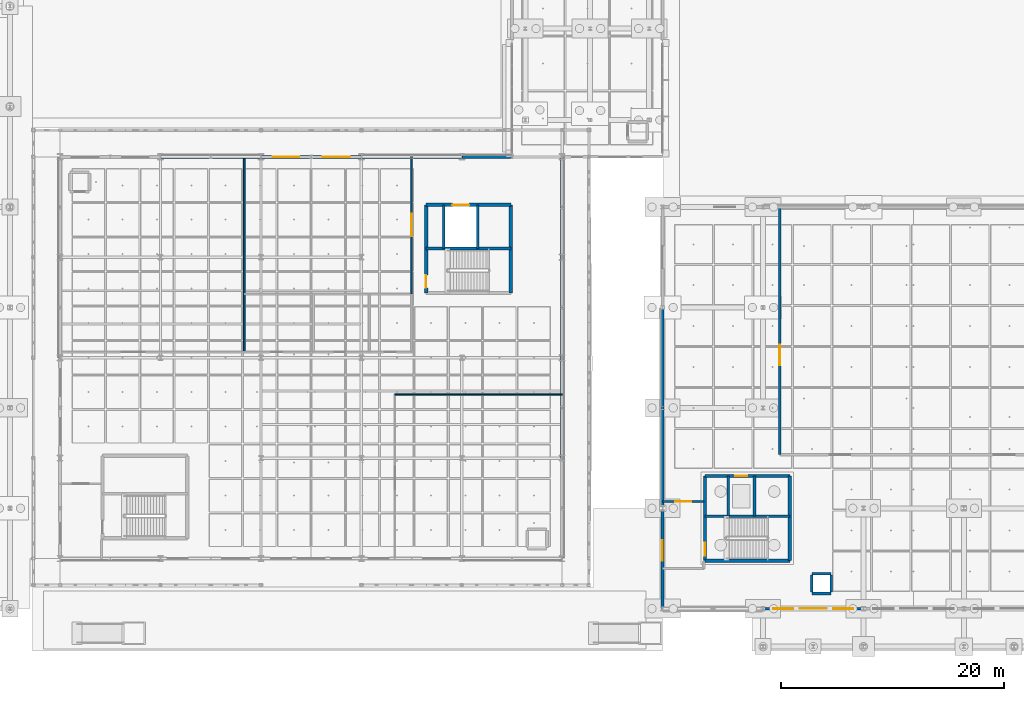
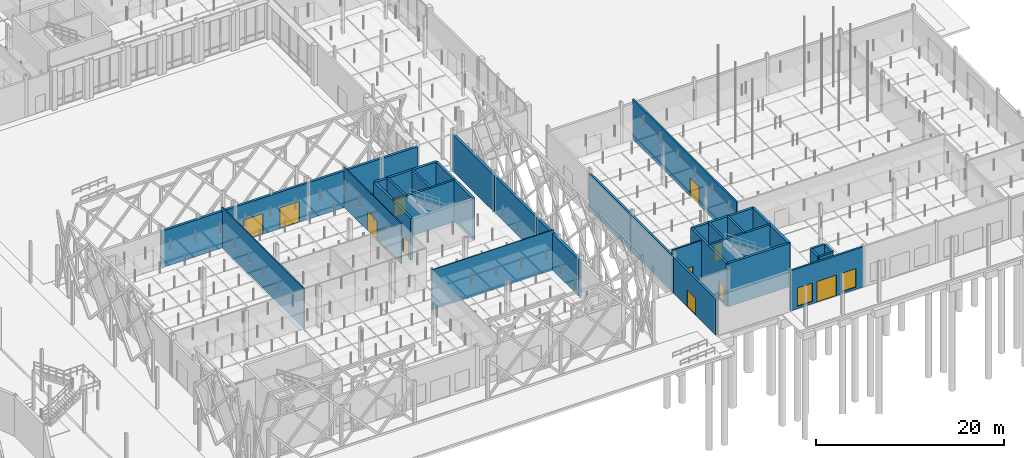
# One storey, part 96 of 180: 33 walls, 11 doors, 2 windows, 13 openings.
"""IFC4 building model written with IfcOpenShell, lengths in metres."""

from ifc_helpers import new_model, si_unit, direction, frame, frame_2d, origin, place, context, subcontext, project, spatial, rectangle, extrude, material, layer, layer_set, type_object, element, fill, save


model = new_model("IFC4")

# Units and contexts
model_context = context("Model", 3, precision=1e-05, world=origin(), true_north=direction((0.0, 1.0)))
body_context = subcontext(model_context, "Body", "Model", "MODEL_VIEW")
ifc_project = project(units=[si_unit("LENGTHUNIT", "METRE"), si_unit("AREAUNIT", "SQUARE_METRE"), si_unit("VOLUMEUNIT", "CUBIC_METRE"), si_unit("PLANEANGLEUNIT", "RADIAN"), si_unit("MASSUNIT", "GRAM", prefix="KILO"), si_unit("THERMODYNAMICTEMPERATUREUNIT", "KELVIN"), si_unit("POWERUNIT", "WATT")], contexts=[model_context])

# Site, building, storey
site_placement = place(None, origin())
site = spatial("IfcSite", under=ifc_project, at=site_placement, CompositionType="ELEMENT")
building_placement = place(site_placement, origin())
building = spatial("IfcBuilding", under=site, at=building_placement, Name="Tallowbark Science Centre", CompositionType="ELEMENT")
storey_placement = place(building_placement, origin())
storey = spatial("IfcBuildingStorey", under=building, at=storey_placement, Name="L00", CompositionType="ELEMENT", Elevation=0.0)

# Wall, openings, door, windows
ifc_material_1 = material(Name="Hawkesbury Sandstone Faced Masonry Cavity Wall", Category="masonry")
ifc_layer_1 = layer(ifc_material_1, 0.22998046875)
ifc_layer_set_1 = layer_set([ifc_layer_1], Name="Hawkesbury Sandstone Faced Masonry Cavity Wall")
wall_type_1 = type_object("IfcWallType", Name="EWL-MAS-230", PredefinedType="STANDARD", material=ifc_layer_set_1)
wall_1_placement = place(storey_placement, frame((121.5, 0.0, 0.0), z_axis=(0.0, 0.0, 1.0), x_axis=(1.0, 0.0, 0.0)))
wall_1 = element("IfcWall", 1, at=wall_1_placement, inside=storey, type_object=wall_type_1, Name="Exterior Wall THT-S-L00-1", PredefinedType="STANDARD", context=body_context, shape_type="SweptSolid", body=[
    extrude(rectangle(XDim=9.0, YDim=0.22998046875, at=frame_2d((4.5, 0.0))), origin(), (0.0, 0.0, 1.0), 5.219970703125),
])
opening_1_placement = place(wall_1_placement, frame((0.89990234375, 0.0, 0.300048828125)))
opening_1 = element("IfcOpeningElement", 2, at=opening_1_placement, cuts=wall_1, Name="Opening W-12", PredefinedType="OPENING", context=body_context, shape_type="SweptSolid", body=[
    extrude(rectangle(XDim=1.800048828125, YDim=2.39990234375, at=frame_2d((0.89990234375, 1.199951171875))), frame((0.0, 0.125, 0.0), z_axis=(0.0, -1.0, 0.0), x_axis=(1.0, 0.0, 0.0)), (0.0, 0.0, 1.0), 0.25),
])
opening_2_placement = place(wall_1_placement, frame((6.300048828125, 0.0, 0.300048828125)))
opening_2 = element("IfcOpeningElement", 3, at=opening_2_placement, cuts=wall_1, Name="Opening W-12", PredefinedType="OPENING", context=body_context, shape_type="SweptSolid", body=[
    extrude(rectangle(XDim=1.800048828125, YDim=2.39990234375, at=frame_2d((0.89990234375, 1.199951171875))), frame((0.0, 0.125, 0.0), z_axis=(0.0, -1.0, 0.0), x_axis=(1.0, 0.0, 0.0)), (0.0, 0.0, 1.0), 0.25),
])
opening_3_placement = place(wall_1_placement, frame((3.300048828125, 0.0, 0.0)))
opening_3 = element("IfcOpeningElement", 4, at=opening_3_placement, cuts=wall_1, Name="Opening ED-01", PredefinedType="OPENING", context=body_context, shape_type="SweptSolid", body=[
    extrude(rectangle(XDim=2.39990234375, YDim=2.699951171875, at=frame_2d((1.199951171875, 1.35009765625))), frame((0.0, 0.125, 0.0), z_axis=(0.0, -1.0, 0.0), x_axis=(1.0, 0.0, 0.0)), (0.0, 0.0, 1.0), 0.25),
])
ifc_material_2 = material(Name="Thermally Broken Glazed Aluminium Frame", Category="aluminium")
door_type_1 = type_object("IfcDoorType", Name="EDR-GLZ-240", OperationType="DOUBLE_DOOR_SINGLE_SWING", PredefinedType="DOOR", material=ifc_material_2)
door_1_placement = place(opening_3_placement, origin())
door_1 = element("IfcDoor", 5, at=door_1_placement, inside=storey, type_object=door_type_1, Name="Exterior Door EDR-L00-015", OperationType="DOUBLE_DOOR_SINGLE_SWING", OverallHeight=2.699951171875, OverallWidth=2.39990234375, PredefinedType="DOOR", context=body_context, shape_type="SweptSolid", body=[
    extrude(rectangle(XDim=2.39990234375, YDim=2.699951171875, at=frame_2d((1.199951171875, 1.35009765625))), frame((0.0, 0.02490234375, 0.0), z_axis=(0.0, -1.0, 0.0), x_axis=(1.0, 0.0, 0.0)), (0.0, 0.0, 1.0), 0.050048828125),
])
fill(opening_3, door_1)
ifc_material_3 = material(Name="Thermally Broken Aluminium and Low-E Double Glazing", Category="aluminium")
window_type = type_object("IfcWindowType", Name="WIN-F180x240", PartitioningType="SINGLE_PANEL", PredefinedType="WINDOW", material=ifc_material_3)
window_1_placement = place(opening_1_placement, origin())
window_1 = element("IfcWindow", 6, at=window_1_placement, inside=storey, type_object=window_type, Name="Window WIN-L00-0013", OverallHeight=2.39990234375, OverallWidth=1.800048828125, PartitioningType="SINGLE_PANEL", PredefinedType="WINDOW", context=body_context, shape_type="SweptSolid", body=[
    extrude(rectangle(XDim=1.800048828125, YDim=2.39990234375, at=frame_2d((0.89990234375, 1.199951171875))), frame((0.0, 0.030029296875, 0.0), z_axis=(0.0, -1.0, 0.0), x_axis=(1.0, 0.0, 0.0)), (0.0, 0.0, 1.0), 0.06005859375),
])
fill(opening_1, window_1)
window_2_placement = place(opening_2_placement, origin())
window_2 = element("IfcWindow", 7, at=window_2_placement, inside=storey, type_object=window_type, Name="Window WIN-L00-0014", OverallHeight=2.39990234375, OverallWidth=1.800048828125, PartitioningType="SINGLE_PANEL", PredefinedType="WINDOW", context=body_context, shape_type="SweptSolid", body=[
    extrude(rectangle(XDim=1.800048828125, YDim=2.39990234375, at=frame_2d((0.89990234375, 1.199951171875))), frame((0.0, 0.030029296875, 0.0), z_axis=(0.0, -1.0, 0.0), x_axis=(1.0, 0.0, 0.0)), (0.0, 0.0, 1.0), 0.06005859375),
])
fill(opening_2, window_2)

# Wall, opening, door
ifc_material_4 = material(Name="Insulated Ribbed Precast Concrete Panel Grade N40 (40 MPa)", Category="concrete")
ifc_layer_2 = layer(ifc_material_4, 0.264892578125)
ifc_layer_set_2 = layer_set([ifc_layer_2], Name="Insulated Ribbed Precast Concrete Panel Grade N40 (40 MPa)")
wall_type_2 = type_object("IfcWallType", Name="EWL-PRC-265", PredefinedType="STANDARD", material=ifc_layer_set_2)
wall_2_placement = place(storey_placement, frame((112.5, 0.0, 0.0), z_axis=(0.0, 0.0, 1.0), x_axis=(0.0, 1.0, 0.0)))
wall_2 = element("IfcWall", 8, at=wall_2_placement, inside=storey, type_object=wall_type_2, Name="Exterior Wall THT-W-L00-0", PredefinedType="STANDARD", context=body_context, shape_type="SweptSolid", body=[
    extrude(rectangle(XDim=9.0, YDim=0.264892578125, at=frame_2d((4.5, 0.0))), origin(), (0.0, 0.0, 1.0), 4.68115234375),
])
opening_4_placement = place(wall_2_placement, frame((4.300048828125, 0.0, 0.0)))
opening_4 = element("IfcOpeningElement", 9, at=opening_4_placement, cuts=wall_2, Name="Opening ED-07", PredefinedType="OPENING", context=body_context, shape_type="SweptSolid", body=[
    extrude(rectangle(XDim=1.85009765625, YDim=2.199951171875, at=frame_2d((0.925048828125, 1.10009765625))), frame((0.0, 0.142578125, 0.0), z_axis=(0.0, -1.0, 0.0), x_axis=(1.0, 0.0, 0.0)), (0.0, 0.0, 1.0), 0.284912109375),
])
ifc_material_5 = material(Name="Powdercoated Galvanised Steel Leaf", Category="steel")
door_type_2 = type_object("IfcDoorType", Name="EDR-ESC-185", OperationType="DOUBLE_DOOR_SINGLE_SWING", PredefinedType="DOOR", material=ifc_material_5)
door_2_placement = place(opening_4_placement, origin())
door_2 = element("IfcDoor", 10, at=door_2_placement, inside=storey, type_object=door_type_2, Name="Exterior Door EDR-L00-018", OperationType="DOUBLE_DOOR_SINGLE_SWING", OverallHeight=2.199951171875, OverallWidth=1.85009765625, PredefinedType="DOOR", context=body_context, shape_type="SweptSolid", body=[
    extrude(rectangle(XDim=1.85009765625, YDim=2.199951171875, at=frame_2d((0.925048828125, 1.10009765625))), frame((0.0, 0.02490234375, 0.0), z_axis=(0.0, -1.0, 0.0), x_axis=(1.0, 0.0, 0.0)), (0.0, 0.0, 1.0), 0.050048828125),
])
fill(opening_4, door_2)

# Walls
for number, where, z_axis, x_axis, name in (
    (11, (112.5, 18.0, 0.0), (0.0, 0.0, 1.0), (0.0, -1.0, 0.0), "Exterior Wall THT-W-L00-1"),
    (12, (112.5, 27.0, 0.0), (0.0, 0.0, 1.0), (0.0, -1.0, 0.0), "Exterior Wall THT-W-L00-2"),
):
    element("IfcWall", number, at=place(storey_placement, frame(where, z_axis=z_axis, x_axis=x_axis)), inside=storey, type_object=wall_type_2, Name=name, PredefinedType="STANDARD", context=body_context, shape_type="SweptSolid", body=[
        extrude(rectangle(XDim=9.0, YDim=0.264892578125, at=frame_2d((4.5, 0.0))), origin(), (0.0, 0.0, 1.0), 4.68115234375),
    ])

# Wall, openings, doors
ifc_material_6 = material(Name="Spotted Gum Glulam and Mineral-Wool Rainscreen Assembly", Category="wood")
ifc_layer_3 = layer(ifc_material_6, 0.280029296875)
ifc_layer_set_3 = layer_set([ifc_layer_3], Name="Spotted Gum Glulam and Mineral-Wool Rainscreen Assembly")
wall_type_3 = type_object("IfcWallType", Name="EWL-TIM-280", PredefinedType="STANDARD", material=ifc_layer_set_3)
wall_3_placement = place(storey_placement, frame((85.5, 40.5, 0.0), z_axis=(0.0, 0.0, 1.0), x_axis=(-1.0, 0.0, 0.0)))
wall_3 = element("IfcWall", 13, at=wall_3_placement, inside=storey, type_object=wall_type_3, Name="Exterior Wall CUB-N-L00-2", PredefinedType="STANDARD", context=body_context, shape_type="SweptSolid", body=[
    extrude(rectangle(XDim=9.0, YDim=0.280029296875, at=frame_2d((4.5, 0.0))), origin(), (0.0, 0.0, 1.0), 4.74609375),
])
opening_5_placement = place(wall_3_placement, frame((1.050048828125, 0.0, 0.0)))
opening_5 = element("IfcOpeningElement", 14, at=opening_5_placement, cuts=wall_3, Name="Opening ED-01", PredefinedType="OPENING", context=body_context, shape_type="SweptSolid", body=[
    extrude(rectangle(XDim=2.39990234375, YDim=2.699951171875, at=frame_2d((1.199951171875, 1.35009765625))), frame((0.0, 0.14990234375, 0.0), z_axis=(0.0, -1.0, 0.0), x_axis=(1.0, 0.0, 0.0)), (0.0, 0.0, 1.0), 0.300048828125),
])
opening_6_placement = place(wall_3_placement, frame((5.550048828125, 0.0, 0.0)))
opening_6 = element("IfcOpeningElement", 15, at=opening_6_placement, cuts=wall_3, Name="Opening ED-01", PredefinedType="OPENING", context=body_context, shape_type="SweptSolid", body=[
    extrude(rectangle(XDim=2.39990234375, YDim=2.699951171875, at=frame_2d((1.199951171875, 1.35009765625))), frame((0.0, 0.14990234375, 0.0), z_axis=(0.0, -1.0, 0.0), x_axis=(1.0, 0.0, 0.0)), (0.0, 0.0, 1.0), 0.300048828125),
])
door_3_placement = place(opening_5_placement, origin())
door_3 = element("IfcDoor", 16, at=door_3_placement, inside=storey, type_object=door_type_1, Name="Exterior Door EDR-L00-005", OperationType="DOUBLE_DOOR_SINGLE_SWING", OverallHeight=2.699951171875, OverallWidth=2.39990234375, PredefinedType="DOOR", context=body_context, shape_type="SweptSolid", body=[
    extrude(rectangle(XDim=2.39990234375, YDim=2.699951171875, at=frame_2d((1.199951171875, 1.35009765625))), frame((0.0, 0.02490234375, 0.0), z_axis=(0.0, -1.0, 0.0), x_axis=(1.0, 0.0, 0.0)), (0.0, 0.0, 1.0), 0.050048828125),
])
fill(opening_5, door_3)
door_4_placement = place(opening_6_placement, origin())
door_4 = element("IfcDoor", 17, at=door_4_placement, inside=storey, type_object=door_type_1, Name="Exterior Door EDR-L00-006", OperationType="DOUBLE_DOOR_SINGLE_SWING", OverallHeight=2.699951171875, OverallWidth=2.39990234375, PredefinedType="DOOR", context=body_context, shape_type="SweptSolid", body=[
    extrude(rectangle(XDim=2.39990234375, YDim=2.699951171875, at=frame_2d((1.199951171875, 1.35009765625))), frame((0.0, 0.02490234375, 0.0), z_axis=(0.0, -1.0, 0.0), x_axis=(1.0, 0.0, 0.0)), (0.0, 0.0, 1.0), 0.050048828125),
])
fill(opening_6, door_4)

# Walls
ifc_material_7 = material(Name="Spotted Gum Acoustic Cassette Wall Assembly", Category="wood")
ifc_layer_4 = layer(ifc_material_7, 0.294921875)
ifc_layer_set_4 = layer_set([ifc_layer_4], Name="Spotted Gum Acoustic Cassette Wall Assembly")
wall_type_4 = type_object("IfcWallType", Name="EWL-TIM-295", PredefinedType="STANDARD", material=ifc_layer_set_4)
for number, where, z_axis, x_axis, name in (
    (18, (76.5, 40.5, 0.0), (0.0, 0.0, 1.0), (-1.0, 0.0, 0.0), "Exterior Wall CUB-N-L00-1"),
    (19, (94.5, 40.5, 0.0), (0.0, 0.0, 1.0), (-1.0, 0.0, 0.0), "Exterior Wall CUB-N-L00-3"),
):
    element("IfcWall", number, at=place(storey_placement, frame(where, z_axis=z_axis, x_axis=x_axis)), inside=storey, type_object=wall_type_4, Name=name, PredefinedType="STANDARD", context=body_context, shape_type="SweptSolid", body=[
        extrude(rectangle(XDim=9.0, YDim=0.294921875, at=frame_2d((4.5, 0.0))), origin(), (0.0, 0.0, 1.0), 4.74609375),
    ])
wall_4_placement = place(storey_placement, frame((99.0, 40.5, 0.0), z_axis=(0.0, 0.0, 1.0), x_axis=(-1.0, 0.0, 0.0)))
element("IfcWall", 20, at=wall_4_placement, inside=storey, type_object=wall_type_4, Name="Exterior Wall CUB-N-L00-4", PredefinedType="STANDARD", context=body_context, shape_type="SweptSolid", body=[
    extrude(rectangle(XDim=4.5, YDim=0.294921875, at=frame_2d((2.25, 0.0))), origin(), (0.0, 0.0, 1.0), 4.74609375),
])
for number, where, z_axis, x_axis, name in (
    (21, (103.5, 13.5, 0.0), (0.0, 0.0, 1.0), (0.0, 1.0, 0.0), "Exterior Wall CUB-E-L00-1"),
    (22, (103.5, 22.5, 0.0), (0.0, 0.0, 1.0), (0.0, 1.0, 0.0), "Exterior Wall CUB-E-L00-2"),
    (23, (103.5, 31.5, 0.0), (0.0, 0.0, 1.0), (0.0, 1.0, 0.0), "Exterior Wall CUB-E-L00-3"),
):
    element("IfcWall", number, at=place(storey_placement, frame(where, z_axis=z_axis, x_axis=x_axis)), inside=storey, type_object=wall_type_4, Name=name, PredefinedType="STANDARD", context=body_context, shape_type="SweptSolid", body=[
        extrude(rectangle(XDim=9.0, YDim=0.294921875, at=frame_2d((4.5, 0.0))), origin(), (0.0, 0.0, 1.0), 4.74609375),
    ])
ifc_material_8 = material(Name="150 mm Wet-Area Moisture-Resistant Partition")
ifc_layer_5 = layer(ifc_material_8, 0.14990234375)
ifc_layer_set_5 = layer_set([ifc_layer_5], Name="150 mm Wet-Area Moisture-Resistant Partition")
wall_type_5 = type_object("IfcWallType", Name="PTW-150", PredefinedType="PARTITIONING", material=ifc_layer_set_5)
wall_5_placement = place(storey_placement, frame((75.0, 23.0, 0.0), z_axis=(0.0, 0.0, 1.0), x_axis=(0.0, 1.0, 0.0)))
element("IfcWall", 24, at=wall_5_placement, inside=storey, type_object=wall_type_5, Name="Interior Partition PTW-L00-0105", PredefinedType="PARTITIONING", context=body_context, shape_type="SweptSolid", body=[
    extrude(rectangle(XDim=17.5, YDim=0.14990234375, at=frame_2d((8.75, 0.0))), origin(), (0.0, 0.0, 1.0), 5.219970703125),
])

# Wall, opening, door
ifc_material_9 = material(Name="162 mm Double-Stud Fire-Rated Corridor Partition")
ifc_layer_6 = layer(ifc_material_9, 0.162109375)
ifc_layer_set_6 = layer_set([ifc_layer_6], Name="162 mm Double-Stud Fire-Rated Corridor Partition")
wall_type_6 = type_object("IfcWallType", Name="PTW-162", PredefinedType="PARTITIONING", material=ifc_layer_set_6)
wall_6_placement = place(storey_placement, frame((112.5, 9.60009765625, 0.0), z_axis=(0.0, 0.0, 1.0), x_axis=(1.0, 0.0, 0.0)))
wall_6 = element("IfcWall", 25, at=wall_6_placement, inside=storey, type_object=wall_type_6, Name="Interior Partition PTW-L00-0143", PredefinedType="PARTITIONING", context=body_context, shape_type="SweptSolid", body=[
    extrude(rectangle(XDim=3.699951171875, YDim=0.162109375, at=frame_2d((1.85009765625, 0.0))), origin(), (0.0, 0.0, 1.0), 5.219970703125),
])
opening_7_placement = place(wall_6_placement, frame((1.1201171875, 0.0, 0.0)))
opening_7 = element("IfcOpeningElement", 26, at=opening_7_placement, cuts=wall_6, Name="Opening FD-02", PredefinedType="OPENING", context=body_context, shape_type="SweptSolid", body=[
    extrude(rectangle(XDim=1.449951171875, YDim=2.199951171875, at=frame_2d((0.72509765625, 1.10009765625))), frame((0.0, 0.091064453125, 0.0), z_axis=(0.0, -1.0, 0.0), x_axis=(1.0, 0.0, 0.0)), (0.0, 0.0, 1.0), 0.18212890625),
])
ifc_material_10 = material(Name="Fire-Rated Glazed Steel Pair", Category="steel")
door_type_3 = type_object("IfcDoorType", Name="FDR-LOB-145", OperationType="DOUBLE_DOOR_SINGLE_SWING", PredefinedType="DOOR", material=ifc_material_10)
door_5_placement = place(opening_7_placement, origin())
door_5 = element("IfcDoor", 27, at=door_5_placement, inside=storey, type_object=door_type_3, Name="Interior Door IDR-L00-0056", OperationType="DOUBLE_DOOR_SINGLE_SWING", OverallHeight=2.199951171875, OverallWidth=1.449951171875, PredefinedType="DOOR", context=body_context, shape_type="SweptSolid", body=[
    extrude(rectangle(XDim=1.449951171875, YDim=2.199951171875, at=frame_2d((0.72509765625, 1.10009765625))), frame((0.0, 0.02490234375, 0.0), z_axis=(0.0, -1.0, 0.0), x_axis=(1.0, 0.0, 0.0)), (0.0, 0.0, 1.0), 0.050048828125),
])
fill(opening_7, door_5)

ifc_material_11 = material(Name="190 mm Acoustic Auditorium Double-Stud Partition")
ifc_layer_7 = layer(ifc_material_11, 0.18994140625)
ifc_layer_set_7 = layer_set([ifc_layer_7], Name="190 mm Acoustic Auditorium Double-Stud Partition")
wall_type_7 = type_object("IfcWallType", Name="PTW-190", PredefinedType="PARTITIONING", material=ifc_layer_set_7)
wall_7_placement = place(storey_placement, frame((123.0, 13.800048828125, 0.0), z_axis=(0.0, 0.0, 1.0), x_axis=(0.0, 1.0, 0.0)))
wall_7 = element("IfcWall", 28, at=wall_7_placement, inside=storey, type_object=wall_type_7, Name="Interior Partition PTW-L00-0112", PredefinedType="PARTITIONING", context=body_context, shape_type="SweptSolid", body=[
    extrude(rectangle(XDim=22.199951171875, YDim=0.18994140625, at=frame_2d((11.10009765625, 0.0))), origin(), (0.0, 0.0, 1.0), 5.219970703125),
])
opening_8_placement = place(wall_7_placement, frame((8.0, 0.0, 0.0)))
opening_8 = element("IfcOpeningElement", 29, at=opening_8_placement, cuts=wall_7, Name="Opening DS-41", PredefinedType="OPENING", context=body_context, shape_type="SweptSolid", body=[
    extrude(rectangle(XDim=1.8798828125, YDim=2.39990234375, at=frame_2d((0.93994140625, 1.199951171875))), frame((0.0, 0.10498046875, 0.0), z_axis=(0.0, -1.0, 0.0), x_axis=(1.0, 0.0, 0.0)), (0.0, 0.0, 1.0), 0.2099609375),
])
ifc_material_12 = material(Name="Acoustic Sound-Lock Theatre Pair")
door_type_4 = type_object("IfcDoorType", Name="IDR-AUD-180-S41", OperationType="DOUBLE_DOOR_SINGLE_SWING", PredefinedType="DOOR", material=ifc_material_12)
door_6_placement = place(opening_8_placement, origin())
door_6 = element("IfcDoor", 30, at=door_6_placement, inside=storey, type_object=door_type_4, Name="Interior Door IDR-L00-0041", OperationType="DOUBLE_DOOR_SINGLE_SWING", OverallHeight=2.39990234375, OverallWidth=1.8798828125, PredefinedType="DOOR", context=body_context, shape_type="SweptSolid", body=[
    extrude(rectangle(XDim=1.8798828125, YDim=2.39990234375, at=frame_2d((0.93994140625, 1.199951171875))), frame((0.0, 0.02490234375, 0.0), z_axis=(0.0, -1.0, 0.0), x_axis=(1.0, 0.0, 0.0)), (0.0, 0.0, 1.0), 0.050048828125),
])
fill(opening_8, door_6)

# Wall
ifc_material_13 = material(Name="92 mm Steel Stud and Double 13 mm Plasterboard Partition", Category="steel")
ifc_layer_8 = layer(ifc_material_13, 0.092041015625)
ifc_layer_set_8 = layer_set([ifc_layer_8], Name="92 mm Steel Stud and Double 13 mm Plasterboard Partition")
wall_type_8 = type_object("IfcWallType", Name="PTW-92", PredefinedType="PARTITIONING", material=ifc_layer_set_8)
wall_8_placement = place(storey_placement, frame((88.5, 19.199951171875, 0.0), z_axis=(0.0, 0.0, 1.0), x_axis=(1.0, 0.0, 0.0)))
element("IfcWall", 31, at=wall_8_placement, inside=storey, type_object=wall_type_8, Name="Interior Partition PTW-L00-0100", PredefinedType="PARTITIONING", context=body_context, shape_type="SweptSolid", body=[
    extrude(rectangle(XDim=15.0, YDim=0.092041015625, at=frame_2d((7.5, 0.0))), origin(), (0.0, 0.0, 1.0), 5.219970703125),
])

# Wall, opening, door
ifc_material_14 = material(Name="125 mm Top-Hung Operable Acoustic Exhibition Partition")
ifc_layer_9 = layer(ifc_material_14, 0.125)
ifc_layer_set_9 = layer_set([ifc_layer_9], Name="125 mm Top-Hung Operable Acoustic Exhibition Partition")
wall_type_9 = type_object("IfcWallType", Name="PTW-MOV-125", PredefinedType="MOVABLE", material=ifc_layer_set_9)
wall_9_placement = place(storey_placement, frame((90.0, 28.199951171875, 0.0), z_axis=(0.0, 0.0, 1.0), x_axis=(0.0, 1.0, 0.0)))
wall_9 = element("IfcWall", 32, at=wall_9_placement, inside=storey, type_object=wall_type_9, Name="Interior Partition PTW-L00-0110", PredefinedType="MOVABLE", context=body_context, shape_type="SweptSolid", body=[
    extrude(rectangle(XDim=12.300048828125, YDim=0.125, at=frame_2d((6.14990234375, 0.0))), origin(), (0.0, 0.0, 1.0), 5.219970703125),
])
opening_9_placement = place(wall_9_placement, frame((5.199951171875, 0.0, 0.0)))
opening_9 = element("IfcOpeningElement", 33, at=opening_9_placement, cuts=wall_9, Name="Opening DS-38", PredefinedType="OPENING", context=body_context, shape_type="SweptSolid", body=[
    extrude(rectangle(XDim=2.02001953125, YDim=2.5, at=frame_2d((1.010009765625, 1.25))), frame((0.0, 0.072509765625, 0.0), z_axis=(0.0, -1.0, 0.0), x_axis=(1.0, 0.0, 0.0)), (0.0, 0.0, 1.0), 0.14501953125),
])
ifc_material_15 = material(Name="Spotted Gum Acoustic Gallery Pair", Category="wood")
door_type_5 = type_object("IfcDoorType", Name="IDR-GAL-200-S38", OperationType="DOUBLE_DOOR_DOUBLE_SWING", PredefinedType="DOOR", material=ifc_material_15)
door_7_placement = place(opening_9_placement, origin())
door_7 = element("IfcDoor", 34, at=door_7_placement, inside=storey, type_object=door_type_5, Name="Interior Door IDR-L00-0038", OperationType="DOUBLE_DOOR_DOUBLE_SWING", OverallHeight=2.5, OverallWidth=2.02001953125, PredefinedType="DOOR", context=body_context, shape_type="SweptSolid", body=[
    extrude(rectangle(XDim=2.02001953125, YDim=2.5, at=frame_2d((1.010009765625, 1.25))), frame((0.0, 0.02490234375, 0.0), z_axis=(0.0, -1.0, 0.0), x_axis=(1.0, 0.0, 0.0)), (0.0, 0.0, 1.0), 0.050048828125),
])
fill(opening_9, door_7)

ifc_material_16 = material(Name="Concrete Grade N40 (40 MPa)", Category="concrete")
ifc_layer_10 = layer(ifc_material_16, 0.300048828125)
ifc_layer_set_10 = layer_set([ifc_layer_10], Name="Concrete Grade N40 (40 MPa)")
wall_type_10 = type_object("IfcWallType", Name="WL-CORE-300", PredefinedType="SHEAR", material=ifc_layer_set_10)
wall_10_placement = place(storey_placement, frame((91.300048828125, 28.300048828125, 0.0), z_axis=(0.0, 0.0, 1.0), x_axis=(0.0, 1.0, 0.0)))
wall_10 = element("IfcWall", 35, at=wall_10_placement, inside=storey, type_object=wall_type_10, Name="Core C3 Shear Wall L00 W", PredefinedType="SHEAR", context=body_context, shape_type="SweptSolid", body=[
    extrude(rectangle(XDim=7.89990234375, YDim=0.300048828125, at=frame_2d((3.949951171875, 0.0))), origin(), (0.0, 0.0, 1.0), 5.39990234375),
])
opening_10_placement = place(wall_10_placement, frame((0.449951171875, 0.0, 0.0)))
opening_10 = element("IfcOpeningElement", 36, at=opening_10_placement, cuts=wall_10, Name="Opening FD-01", PredefinedType="OPENING", context=body_context, shape_type="SweptSolid", body=[
    extrude(rectangle(XDim=1.14990234375, YDim=2.14990234375, at=frame_2d((0.574951171875, 1.074951171875))), frame((0.0, 0.16015625, 0.0), z_axis=(0.0, -1.0, 0.0), x_axis=(1.0, 0.0, 0.0)), (0.0, 0.0, 1.0), 0.320068359375),
])
ifc_material_17 = material(Name="Fire-Rated Pressed Steel Frame and Solid Core Leaf", Category="steel")
door_type_6 = type_object("IfcDoorType", Name="FDR-STR-115", OperationType="NOTDEFINED", PredefinedType="DOOR", material=ifc_material_17)
door_8_placement = place(opening_10_placement, origin())
door_8 = element("IfcDoor", 37, at=door_8_placement, inside=storey, type_object=door_type_6, Name="Stair ST-03 Fire Door L00", OperationType="SINGLE_SWING_RIGHT", OverallHeight=2.14990234375, OverallWidth=1.14990234375, PredefinedType="DOOR", context=body_context, shape_type="SweptSolid", body=[
    extrude(rectangle(XDim=1.14990234375, YDim=2.14990234375, at=frame_2d((0.574951171875, 1.074951171875))), frame((0.0, 0.02490234375, 0.0), z_axis=(0.0, -1.0, 0.0), x_axis=(1.0, 0.0, 0.0)), (0.0, 0.0, 1.0), 0.050048828125),
])
fill(opening_10, door_8)

# Wall
wall_11_placement = place(storey_placement, frame((98.89990234375, 28.300048828125, 0.0), z_axis=(0.0, 0.0, 1.0), x_axis=(0.0, 1.0, 0.0)))
element("IfcWall", 38, at=wall_11_placement, inside=storey, type_object=wall_type_10, Name="Core C3 Shear Wall L00 E", PredefinedType="SHEAR", context=body_context, shape_type="SweptSolid", body=[
    extrude(rectangle(XDim=7.89990234375, YDim=0.300048828125, at=frame_2d((3.949951171875, 0.0))), origin(), (0.0, 0.0, 1.0), 5.39990234375),
])

# Wall, opening, door
wall_12_placement = place(storey_placement, frame((91.300048828125, 36.199951171875, 0.0), z_axis=(0.0, 0.0, 1.0), x_axis=(1.0, 0.0, 0.0)))
wall_12 = element("IfcWall", 39, at=wall_12_placement, inside=storey, type_object=wall_type_10, Name="Core C3 Shear Wall L00 N", PredefinedType="SHEAR", context=body_context, shape_type="SweptSolid", body=[
    extrude(rectangle(XDim=7.599853515625, YDim=0.300048828125, at=frame_2d((3.7998046875, 0.0))), origin(), (0.0, 0.0, 1.0), 5.39990234375),
])
opening_11_placement = place(wall_12_placement, frame((2.35009765625, 0.0, 0.0)))
opening_11 = element("IfcOpeningElement", 40, at=opening_11_placement, cuts=wall_12, Name="Opening LD-02", PredefinedType="OPENING", context=body_context, shape_type="SweptSolid", body=[
    extrude(rectangle(XDim=1.5, YDim=2.39990234375, at=frame_2d((0.75, 1.199951171875))), frame((0.0, 0.16015625, 0.0), z_axis=(0.0, -1.0, 0.0), x_axis=(1.0, 0.0, 0.0)), (0.0, 0.0, 1.0), 0.320068359375),
])
ifc_material_18 = material(Name="Heavy-Duty Goods and Stretcher Lift Landing Door")
door_type_7 = type_object("IfcDoorType", Name="LDR-GDS-150", OperationType="DOUBLE_DOOR_SLIDING", PredefinedType="DOOR", material=ifc_material_18)
door_9_placement = place(opening_11_placement, origin())
door_9 = element("IfcDoor", 41, at=door_9_placement, inside=storey, type_object=door_type_7, Name="Lift LF-06 Landing Door L00", OperationType="DOUBLE_DOOR_SLIDING", OverallHeight=2.39990234375, OverallWidth=1.5, PredefinedType="DOOR", context=body_context, shape_type="SweptSolid", body=[
    extrude(rectangle(XDim=1.5, YDim=2.39990234375, at=frame_2d((0.75, 1.199951171875))), frame((0.0, 0.02490234375, 0.0), z_axis=(0.0, -1.0, 0.0), x_axis=(1.0, 0.0, 0.0)), (0.0, 0.0, 1.0), 0.050048828125),
])
fill(opening_11, door_9)

wall_13_placement = place(storey_placement, frame((116.300048828125, 4.300048828125, -0.239990234375), z_axis=(0.0, 0.0, 1.0), x_axis=(0.0, 1.0, 0.0)))
wall_13 = element("IfcWall", 42, at=wall_13_placement, inside=storey, type_object=wall_type_10, Name="Core C6 Shear Wall L00 W", PredefinedType="SHEAR", context=body_context, shape_type="SweptSolid", body=[
    extrude(rectangle(XDim=7.599853515625, YDim=0.300048828125, at=frame_2d((3.7998046875, 0.0))), origin(), (0.0, 0.0, 1.0), 5.639892578125),
])
opening_12_placement = place(wall_13_placement, frame((0.449951171875, 0.0, 0.239990234375)))
opening_12 = element("IfcOpeningElement", 43, at=opening_12_placement, cuts=wall_13, Name="Opening FD-01", PredefinedType="OPENING", context=body_context, shape_type="SweptSolid", body=[
    extrude(rectangle(XDim=1.14990234375, YDim=2.14990234375, at=frame_2d((0.574951171875, 1.074951171875))), frame((0.0, 0.16015625, 0.0), z_axis=(0.0, -1.0, 0.0), x_axis=(1.0, 0.0, 0.0)), (0.0, 0.0, 1.0), 0.320068359375),
])
door_10_placement = place(opening_12_placement, origin())
door_10 = element("IfcDoor", 44, at=door_10_placement, inside=storey, type_object=door_type_6, Name="Stair ST-06 Fire Door L00", OperationType="SINGLE_SWING_LEFT", OverallHeight=2.14990234375, OverallWidth=1.14990234375, PredefinedType="DOOR", context=body_context, shape_type="SweptSolid", body=[
    extrude(rectangle(XDim=1.14990234375, YDim=2.14990234375, at=frame_2d((0.574951171875, 1.074951171875))), frame((0.0, 0.02490234375, 0.0), z_axis=(0.0, -1.0, 0.0), x_axis=(1.0, 0.0, 0.0)), (0.0, 0.0, 1.0), 0.050048828125),
])
fill(opening_12, door_10)

# Walls
for number, where, z_axis, x_axis, name in (
    (45, (123.89990234375, 4.300048828125, -0.239990234375), (0.0, 0.0, 1.0), (0.0, 1.0, 0.0), "Core C6 Shear Wall L00 E"),
    (46, (116.300048828125, 4.300048828125, -0.239990234375), (0.0, 0.0, 1.0), (1.0, 0.0, 0.0), "Core C6 Shear Wall L00 S"),
):
    element("IfcWall", number, at=place(storey_placement, frame(where, z_axis=z_axis, x_axis=x_axis)), inside=storey, type_object=wall_type_10, Name=name, PredefinedType="SHEAR", context=body_context, shape_type="SweptSolid", body=[
        extrude(rectangle(XDim=7.599853515625, YDim=0.300048828125, at=frame_2d((3.7998046875, 0.0))), origin(), (0.0, 0.0, 1.0), 5.639892578125),
    ])

# Wall, opening, door
wall_14_placement = place(storey_placement, frame((116.300048828125, 11.89990234375, -0.239990234375), z_axis=(0.0, 0.0, 1.0), x_axis=(1.0, 0.0, 0.0)))
wall_14 = element("IfcWall", 47, at=wall_14_placement, inside=storey, type_object=wall_type_10, Name="Core C6 Shear Wall L00 N", PredefinedType="SHEAR", context=body_context, shape_type="SweptSolid", body=[
    extrude(rectangle(XDim=7.599853515625, YDim=0.300048828125, at=frame_2d((3.7998046875, 0.0))), origin(), (0.0, 0.0, 1.0), 5.639892578125),
])
opening_13_placement = place(wall_14_placement, frame((2.699951171875, 0.0, 0.239990234375)))
opening_13 = element("IfcOpeningElement", 48, at=opening_13_placement, cuts=wall_14, Name="Opening LD-01", PredefinedType="OPENING", context=body_context, shape_type="SweptSolid", body=[
    extrude(rectangle(XDim=1.10009765625, YDim=2.199951171875, at=frame_2d((0.550048828125, 1.10009765625))), frame((0.0, 0.16015625, 0.0), z_axis=(0.0, -1.0, 0.0), x_axis=(1.0, 0.0, 0.0)), (0.0, 0.0, 1.0), 0.320068359375),
])
ifc_material_19 = material(Name="Brushed Stainless Steel Centre-Parting Lift Landing Door", Category="steel")
door_type_8 = type_object("IfcDoorType", Name="LDR-LFT-110", OperationType="DOUBLE_DOOR_SLIDING", PredefinedType="DOOR", material=ifc_material_19)
door_11_placement = place(opening_13_placement, origin())
door_11 = element("IfcDoor", 49, at=door_11_placement, inside=storey, type_object=door_type_8, Name="Lift LF-05 Landing Door L00", OperationType="DOUBLE_DOOR_SLIDING", OverallHeight=2.199951171875, OverallWidth=1.10009765625, PredefinedType="DOOR", context=body_context, shape_type="SweptSolid", body=[
    extrude(rectangle(XDim=1.10009765625, YDim=2.199951171875, at=frame_2d((0.550048828125, 1.10009765625))), frame((0.0, 0.02490234375, 0.0), z_axis=(0.0, -1.0, 0.0), x_axis=(1.0, 0.0, 0.0)), (0.0, 0.0, 1.0), 0.050048828125),
])
fill(opening_13, door_11)

# Walls
ifc_layer_11 = layer(ifc_material_16, 0.25)
ifc_layer_set_11 = layer_set([ifc_layer_11], Name="Concrete Grade N40 (40 MPa)")
wall_type_11 = type_object("IfcWallType", Name="WL-SHAFT-250", PredefinedType="SHEAR", material=ifc_layer_set_11)
wall_15_placement = place(storey_placement, frame((91.300048828125, 32.294921875, 0.0), z_axis=(0.0, 0.0, 1.0), x_axis=(1.0, 0.0, 0.0)))
element("IfcWall", 50, at=wall_15_placement, inside=storey, type_object=wall_type_11, Name="Core C3 Shear Wall L00 MID", PredefinedType="SHEAR", context=body_context, shape_type="SweptSolid", body=[
    extrude(rectangle(XDim=7.599853515625, YDim=0.25, at=frame_2d((3.7998046875, 0.0))), origin(), (0.0, 0.0, 1.0), 5.39990234375),
])
for number, where, z_axis, x_axis, name in (
    (51, (92.875, 32.294921875, 0.0), (0.0, 0.0, 1.0), (0.0, 1.0, 0.0), "Core C3 Shear Wall L00 LW"),
    (52, (95.925048828125, 32.294921875, 0.0), (0.0, 0.0, 1.0), (0.0, 1.0, 0.0), "Core C3 Shear Wall L00 LE"),
):
    element("IfcWall", number, at=place(storey_placement, frame(where, z_axis=z_axis, x_axis=x_axis)), inside=storey, type_object=wall_type_11, Name=name, PredefinedType="SHEAR", context=body_context, shape_type="SweptSolid", body=[
        extrude(rectangle(XDim=3.905029296875, YDim=0.25, at=frame_2d((1.95263671875, 0.0))), origin(), (0.0, 0.0, 1.0), 5.39990234375),
    ])
wall_16_placement = place(storey_placement, frame((116.300048828125, 8.294921875, -0.239990234375), z_axis=(0.0, 0.0, 1.0), x_axis=(1.0, 0.0, 0.0)))
element("IfcWall", 53, at=wall_16_placement, inside=storey, type_object=wall_type_11, Name="Core C6 Shear Wall L00 MID", PredefinedType="SHEAR", context=body_context, shape_type="SweptSolid", body=[
    extrude(rectangle(XDim=7.599853515625, YDim=0.25, at=frame_2d((3.7998046875, 0.0))), origin(), (0.0, 0.0, 1.0), 5.639892578125),
])
for number, where, z_axis, x_axis, name in (
    (54, (118.375, 8.294921875, -0.239990234375), (0.0, 0.0, 1.0), (0.0, 1.0, 0.0), "Core C6 Shear Wall L00 LW"),
    (55, (120.72509765625, 8.294921875, -0.239990234375), (0.0, 0.0, 1.0), (0.0, 1.0, 0.0), "Core C6 Shear Wall L00 LE"),
):
    element("IfcWall", number, at=place(storey_placement, frame(where, z_axis=z_axis, x_axis=x_axis)), inside=storey, type_object=wall_type_11, Name=name, PredefinedType="SHEAR", context=body_context, shape_type="SweptSolid", body=[
        extrude(rectangle(XDim=3.60498046875, YDim=0.25, at=frame_2d((1.802490234375, 0.0))), origin(), (0.0, 0.0, 1.0), 5.639892578125),
    ])
for number, where, z_axis, x_axis, name in (
    (56, (125.89990234375, 1.375, 0.0), (0.0, 0.0, 1.0), (1.0, 0.0, 0.0), "Service Riser Shaft Wall RSR-THT-W L00 S"),
    (57, (125.89990234375, 3.125, 0.0), (0.0, 0.0, 1.0), (1.0, 0.0, 0.0), "Service Riser Shaft Wall RSR-THT-W L00 N"),
):
    element("IfcWall", number, at=place(storey_placement, frame(where, z_axis=z_axis, x_axis=x_axis)), inside=storey, type_object=wall_type_11, Name=name, PredefinedType="SHEAR", context=body_context, shape_type="SweptSolid", body=[
        extrude(rectangle(XDim=1.7001953125, YDim=0.25, at=frame_2d((0.85009765625, 0.0))), origin(), (0.0, 0.0, 1.0), 4.669921875),
    ])
for number, where, z_axis, x_axis, name in (
    (58, (125.875, 1.5, 0.0), (0.0, 0.0, 1.0), (0.0, 1.0, 0.0), "Service Riser Shaft Wall RSR-THT-W L00 W"),
    (59, (127.625, 1.5, 0.0), (0.0, 0.0, 1.0), (0.0, 1.0, 0.0), "Service Riser Shaft Wall RSR-THT-W L00 E"),
):
    element("IfcWall", number, at=place(storey_placement, frame(where, z_axis=z_axis, x_axis=x_axis)), inside=storey, type_object=wall_type_11, Name=name, PredefinedType="SHEAR", context=body_context, shape_type="SweptSolid", body=[
        extrude(rectangle(XDim=1.5, YDim=0.25, at=frame_2d((0.75, 0.0))), origin(), (0.0, 0.0, 1.0), 4.669921875),
    ])

save(model, "model.ifc")
